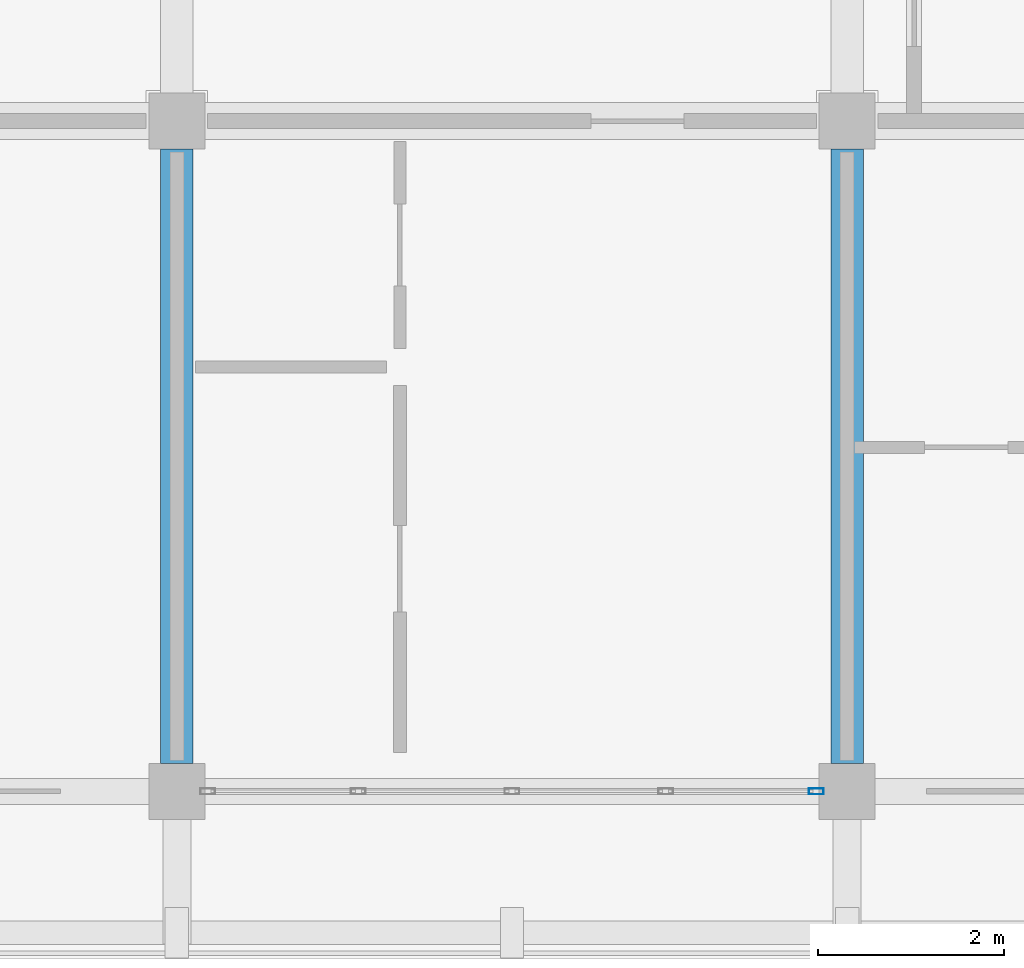
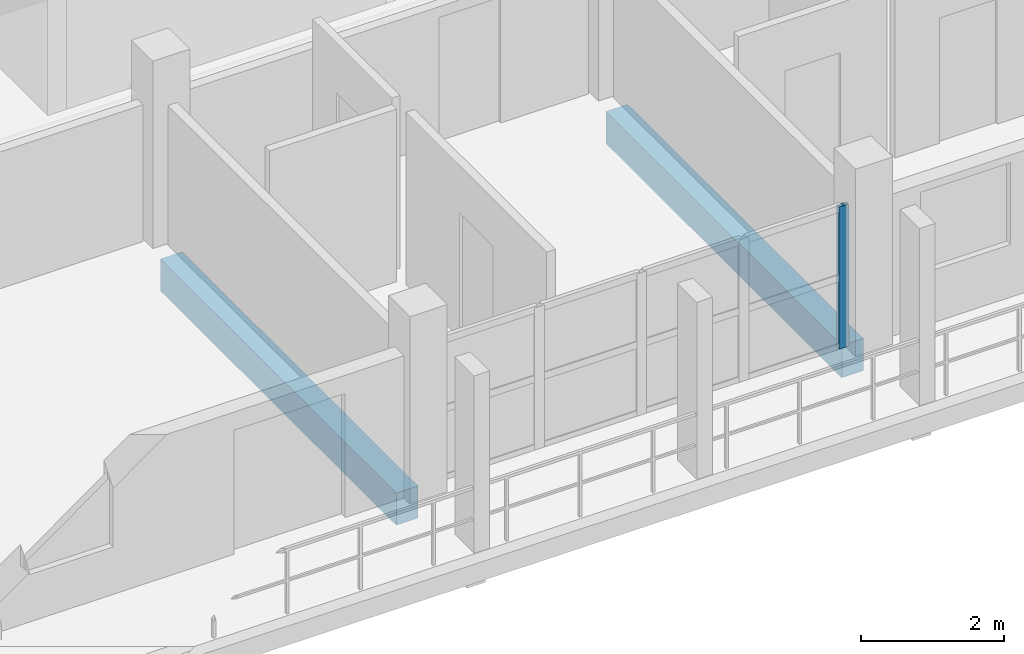
# One storey, part 6 of 78: 2 beams, 1 member, 1 element without a shape of its own.
"""IFC4 building model written with IfcOpenShell, lengths in metres."""

from ifc_helpers import new_model, si_unit, direction, frame, origin, origin_2d, place, context, subcontext, project, spatial, rectangle, hollow_rectangle, extrude, material, material_profile, profile_set, type_object, element, aggregate, save


model = new_model("IFC4")

# Units and contexts
model_context = context("Model", 3, precision=1e-05, world=origin(), true_north=direction((0.0, 1.0)))
body_context = subcontext(model_context, "Body", "Model", "MODEL_VIEW")
ifc_project = project(units=[si_unit("LENGTHUNIT", "METRE"), si_unit("AREAUNIT", "SQUARE_METRE"), si_unit("VOLUMEUNIT", "CUBIC_METRE"), si_unit("PLANEANGLEUNIT", "RADIAN"), si_unit("MASSUNIT", "GRAM", prefix="KILO")], contexts=[model_context])

# Site, building, storey
site_placement = place(None, origin())
site = spatial("IfcSite", under=ifc_project, at=site_placement, CompositionType="ELEMENT")
building_placement = place(site_placement, origin())
building = spatial("IfcBuilding", under=site, at=building_placement, Name="Suanplinth Sawtooth Commons", CompositionType="ELEMENT")
storey_placement = place(building_placement, frame((0.0, 0.0, 15.39990234375)))
storey = spatial("IfcBuildingStorey", under=building, at=storey_placement, Name="L04", CompositionType="ELEMENT", Elevation=15.39990234375)

# Beams
ifc_material_1 = material(Name="Precast concrete C40/50", Category="concrete")
ifc_material_profile_1 = material_profile(ifc_material_1, rectangle(XDim=0.35009765625, YDim=0.550048828125, at=origin_2d()), Name="PC-BM 350x550")
ifc_profile_set_1 = profile_set([ifc_material_profile_1], Name="Precast concrete C40/50")
beam_type = type_object("IfcBeamType", Name="B-06", PredefinedType="BEAM", material=ifc_profile_set_1)
for number, where, z_axis, x_axis, name in (
    (1, (14.39990234375, 0.300048828125, -0.494873046875), (0.0, 1.0, 0.0), (-1.0, 0.0, 0.0), "BMY-L04-D-2-0"),
    (2, (21.60009765625, 0.300048828125, -0.494873046875), (0.0, 1.0, 0.0), (-1.0, 0.0, 0.0), "BMY-L04-D-3-0"),
):
    element("IfcBeam", number, at=place(storey_placement, frame(where, z_axis=z_axis, x_axis=x_axis)), inside=storey, type_object=beam_type, Name=name, PredefinedType="BEAM", context=body_context, shape_type="SweptSolid", body=[
        extrude(rectangle(XDim=0.35009765625, YDim=0.550048828125, at=origin_2d()), origin(), (0.0, 0.0, 1.0), 6.599853515625),
    ])

# Curtain wall, member
ifc_material_2 = material(Name="Anodized aluminium and low-E glazing", Category="aluminium")
curtain_wall_type = type_object("IfcCurtainWallType", Name="CW-06", PredefinedType="USERDEFINED", material=ifc_material_2)
curtain_wall_placement = place(storey_placement, origin())
curtain_wall = element("IfcCurtainWall", 3, at=curtain_wall_placement, inside=storey, type_object=curtain_wall_type, Name="Curtain Wall CW-L04-D-LOUNGE-2", ObjectType="CURTAIN WALL", PredefinedType="USERDEFINED")
ifc_material_3 = material(Name="Anodized aluminium 6063-T6", Category="aluminium")
ifc_material_profile_2 = material_profile(ifc_material_3, hollow_rectangle(XDim=0.06494140625, YDim=0.159912109375, WallThickness=0.00390625, at=origin_2d()), Name="ALU-MUL 65x160")
ifc_profile_set_2 = profile_set([ifc_material_profile_2], Name="Anodized aluminium 6063-T6")
member_type = type_object("IfcMemberType", Name="M-13", PredefinedType="MULLION", material=ifc_profile_set_2)
member_placement = place(storey_placement, frame((21.267578125, 0.0, 0.0), z_axis=(0.0, 0.0, 1.0), x_axis=(0.0, 1.0, 0.0)))
member = element("IfcMember", 4, at=member_placement, type_object=member_type, Name="CW-06 mullion 5", PredefinedType="MULLION", context=body_context, shape_type="SweptSolid", body=[
    extrude(hollow_rectangle(XDim=0.06494140625, YDim=0.159912109375, WallThickness=0.00390625, at=origin_2d()), origin(), (0.0, 0.0, 1.0), 2.43017578125),
])
aggregate(curtain_wall, [member])

save(model, "model.ifc")
